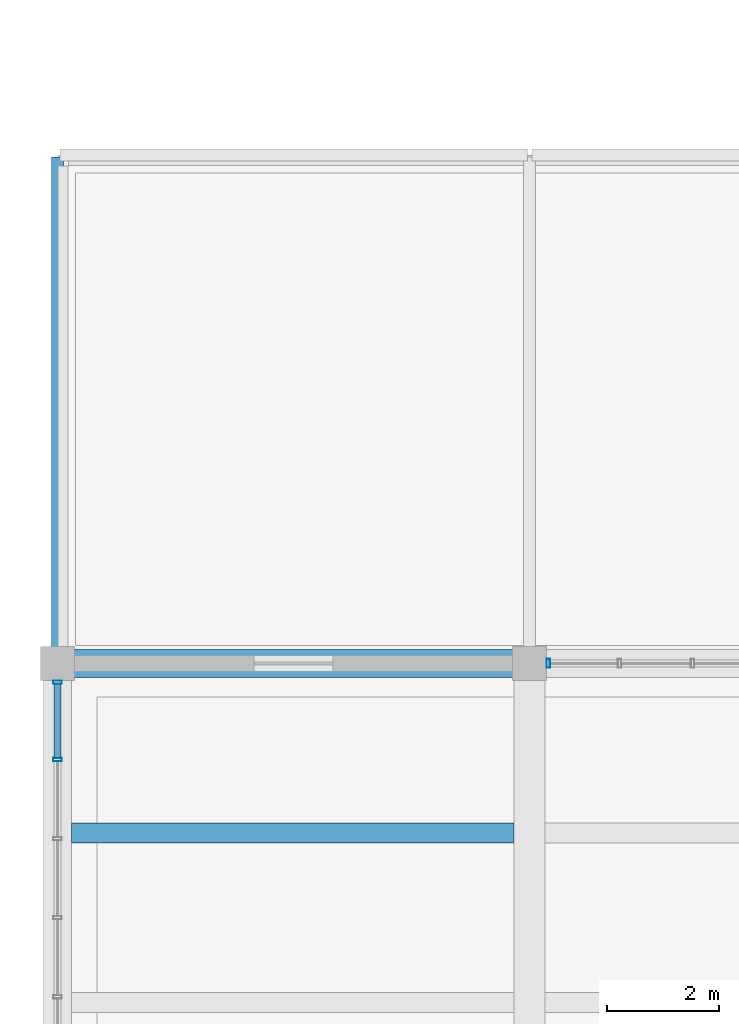
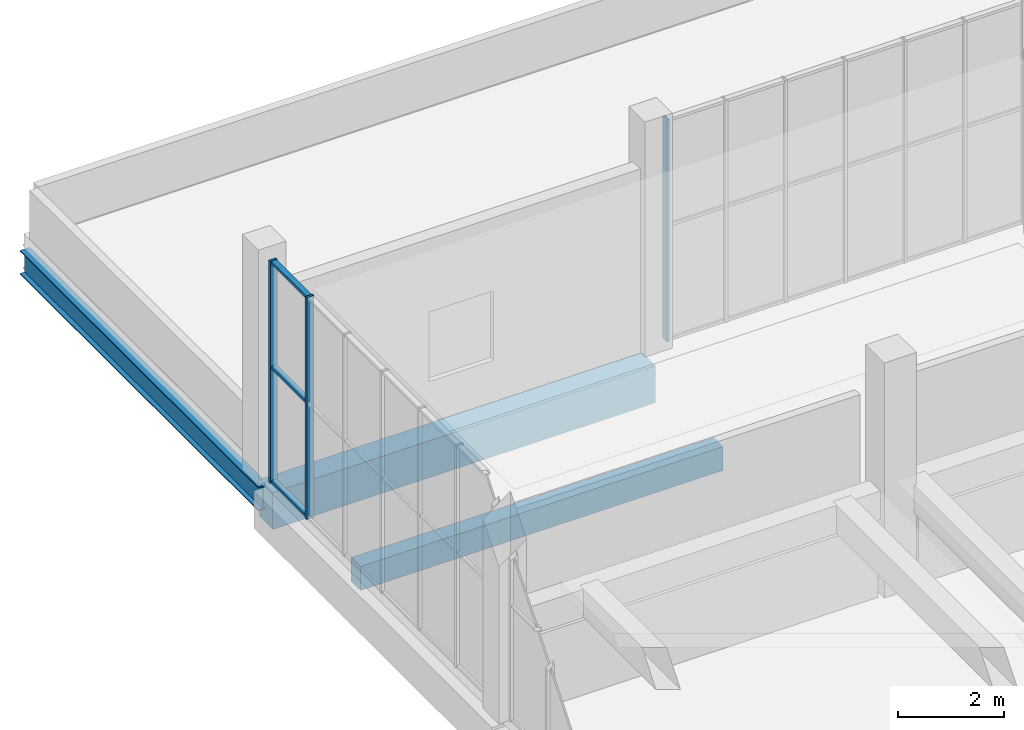
# One storey, part 48 of 132: 6 members, 3 beams, 2 elements without a shape of their own.
"""IFC4 building model written with IfcOpenShell, lengths in metres."""

from ifc_helpers import new_model, si_unit, direction, frame, origin, origin_2d, place, context, subcontext, project, spatial, rectangle, hollow_rectangle, i_section, extrude, material, material_profile, profile_set, type_object, element, aggregate, save


model = new_model("IFC4")

# Units and contexts
model_context = context("Model", 3, precision=1e-05, world=origin(), true_north=direction((0.0, 1.0)))
body_context = subcontext(model_context, "Body", "Model", "MODEL_VIEW")
ifc_project = project(units=[si_unit("LENGTHUNIT", "METRE"), si_unit("AREAUNIT", "SQUARE_METRE"), si_unit("VOLUMEUNIT", "CUBIC_METRE"), si_unit("PLANEANGLEUNIT", "RADIAN"), si_unit("MASSUNIT", "GRAM", prefix="KILO")], contexts=[model_context])

# Site, building, storey
site_placement = place(None, origin())
site = spatial("IfcSite", under=ifc_project, at=site_placement, CompositionType="ELEMENT")
building_placement = place(site_placement, origin())
building = spatial("IfcBuilding", under=site, at=building_placement, Name="Khurvash Pelagic Aquarium", CompositionType="ELEMENT")
storey_placement = place(building_placement, frame((0.0, 0.0, 5.39990234375)))
storey = spatial("IfcBuildingStorey", under=building, at=storey_placement, Name="L01", CompositionType="ELEMENT", Elevation=5.39990234375)

# Beam
ifc_material_1 = material(Name="Steel ASTM A992 Grade 50", Category="steel")
ifc_material_profile_1 = material_profile(ifc_material_1, i_section(OverallWidth=0.214111328125, OverallDepth=0.549072265625, WebThickness=0.0146484375, FlangeThickness=0.023681640625, at=origin_2d()), Name="W21X93")
ifc_profile_set_1 = profile_set([ifc_material_profile_1], Name="Steel ASTM A992 Grade 50")
beam_type_1 = type_object("IfcBeamType", Name="BM-11", PredefinedType="BEAM", material=ifc_profile_set_1)
beam_1_placement = place(storey_placement, frame((0.0, 93.139892578125, -0.594482421875), z_axis=(0.0, 1.0, 0.0), x_axis=(-1.0, 0.0, 0.0)))
element("IfcBeam", 1, at=beam_1_placement, inside=storey, type_object=beam_type_1, Name="L01 Roof Girder BM-11 01205", PredefinedType="BEAM", context=body_context, shape_type="SweptSolid", body=[
    extrude(i_section(OverallWidth=0.214111328125, OverallDepth=0.549072265625, WebThickness=0.0146484375, FlangeThickness=0.023681640625, at=origin_2d()), origin(), (0.0, 0.0, 1.0), 8.97021484375),
])

# Curtain wall, member
ifc_material_2 = material(Name="Anodised aluminium and low-E laminated glass", Category="aluminium")
curtain_wall_type_1 = type_object("IfcCurtainWallType", Name="CW-05", PredefinedType="USERDEFINED", material=ifc_material_2)
curtain_wall_1_placement = place(storey_placement, origin())
curtain_wall_1 = element("IfcCurtainWall", 2, at=curtain_wall_1_placement, inside=storey, type_object=curtain_wall_type_1, Name="L01 Facade Unitised Curtain Wall CW-05 0123", ObjectType="UNITISED CURTAIN WALL", PredefinedType="USERDEFINED")
ifc_material_3 = material(Name="Extruded aluminium AW-6063-T6", Category="aluminium")
ifc_material_profile_2 = material_profile(ifc_material_3, hollow_rectangle(XDim=0.06005859375, YDim=0.159912109375, WallThickness=0.00390625, at=origin_2d()), Name="CWM60X160X4")
ifc_profile_set_2 = profile_set([ifc_material_profile_2], Name="Extruded aluminium AW-6063-T6")
member_type_1 = type_object("IfcMemberType", Name="CM-02", PredefinedType="MULLION", material=ifc_profile_set_2)
member_1_placement = place(storey_placement, frame((8.735107421875, 93.10009765625, 0.0), z_axis=(0.0, 0.0, 1.0), x_axis=(-1.0, 0.0, 0.0)))
member_1 = element("IfcMember", 3, at=member_1_placement, type_object=member_type_1, Name="CW-05 mullion 7", PredefinedType="MULLION", context=body_context, shape_type="SweptSolid", body=[
    extrude(hollow_rectangle(XDim=0.06005859375, YDim=0.159912109375, WallThickness=0.00390625, at=origin_2d()), origin(), (0.0, 0.0, 1.0), 5.10009765625),
])
aggregate(curtain_wall_1, [member_1])

# Curtain wall, members
curtain_wall_type_2 = type_object("IfcCurtainWallType", Name="CW-06", PredefinedType="USERDEFINED", material=ifc_material_2)
curtain_wall_2_placement = place(storey_placement, origin())
curtain_wall_2 = element("IfcCurtainWall", 4, at=curtain_wall_2_placement, inside=storey, type_object=curtain_wall_type_2, Name="L01 Facade Unitised Curtain Wall CW-06 0124", ObjectType="UNITISED CURTAIN WALL", PredefinedType="USERDEFINED")
member_2_placement = place(storey_placement, frame((0.0, 92.764892578125, 0.0), z_axis=(0.0, 0.0, 1.0), x_axis=(0.0, -1.0, 0.0)))
member_2 = element("IfcMember", 5, at=member_2_placement, type_object=member_type_1, Name="CW-06 mullion 1", PredefinedType="MULLION", context=body_context, shape_type="SweptSolid", body=[
    extrude(hollow_rectangle(XDim=0.06005859375, YDim=0.159912109375, WallThickness=0.00390625, at=origin_2d()), origin(), (0.0, 0.0, 1.0), 5.10009765625),
])
member_3_placement = place(storey_placement, frame((0.0, 91.388427734375, 0.0), z_axis=(0.0, 0.0, 1.0), x_axis=(0.0, -1.0, 0.0)))
member_3 = element("IfcMember", 6, at=member_3_placement, type_object=member_type_1, Name="CW-06 mullion 2", PredefinedType="MULLION", context=body_context, shape_type="SweptSolid", body=[
    extrude(hollow_rectangle(XDim=0.06005859375, YDim=0.159912109375, WallThickness=0.00390625, at=origin_2d()), origin(), (0.0, 0.0, 1.0), 5.10009765625),
])
ifc_material_profile_3 = material_profile(ifc_material_3, hollow_rectangle(XDim=0.1201171875, YDim=0.06005859375, WallThickness=0.00390625, at=origin_2d()), Name="CWT120X60X4")
ifc_profile_set_3 = profile_set([ifc_material_profile_3], Name="Extruded aluminium AW-6063-T6")
member_type_2 = type_object("IfcMemberType", Name="CT-02", PredefinedType="USERDEFINED", material=ifc_profile_set_3)
member_4_placement = place(storey_placement, frame((0.0, 92.735107421875, 0.030029296875), z_axis=(0.0, -1.0, 0.0), x_axis=(1.0, 0.0, 0.0)))
member_4 = element("IfcMember", 7, at=member_4_placement, type_object=member_type_2, Name="CW-06 transom 1.1", ObjectType="TRANSOM", PredefinedType="USERDEFINED", context=body_context, shape_type="SweptSolid", body=[
    extrude(hollow_rectangle(XDim=0.1201171875, YDim=0.06005859375, WallThickness=0.00390625, at=origin_2d()), origin(), (0.0, 0.0, 1.0), 1.31689453125),
])
member_5_placement = place(storey_placement, frame((0.0, 92.735107421875, 2.652099609375), z_axis=(0.0, -1.0, 0.0), x_axis=(1.0, 0.0, 0.0)))
member_5 = element("IfcMember", 8, at=member_5_placement, type_object=member_type_2, Name="CW-06 transom 1.2", ObjectType="TRANSOM", PredefinedType="USERDEFINED", context=body_context, shape_type="SweptSolid", body=[
    extrude(hollow_rectangle(XDim=0.1201171875, YDim=0.06005859375, WallThickness=0.00390625, at=origin_2d()), origin(), (0.0, 0.0, 1.0), 1.31689453125),
])
member_6_placement = place(storey_placement, frame((0.0, 92.735107421875, 5.070068359375), z_axis=(0.0, -1.0, 0.0), x_axis=(1.0, 0.0, 0.0)))
member_6 = element("IfcMember", 9, at=member_6_placement, type_object=member_type_2, Name="CW-06 transom 1.3", ObjectType="TRANSOM", PredefinedType="USERDEFINED", context=body_context, shape_type="SweptSolid", body=[
    extrude(hollow_rectangle(XDim=0.1201171875, YDim=0.06005859375, WallThickness=0.00390625, at=origin_2d()), origin(), (0.0, 0.0, 1.0), 1.31689453125),
])
aggregate(curtain_wall_2, [member_2, member_3, member_4, member_5, member_6])

# Beams
ifc_material_4 = material(Name="Concrete C35/45", Category="concrete")
ifc_material_profile_4 = material_profile(ifc_material_4, rectangle(XDim=0.35009765625, YDim=0.550048828125, at=origin_2d()), Name="RC350X550")
ifc_profile_set_4 = profile_set([ifc_material_profile_4], Name="Concrete C35/45")
beam_type_2 = type_object("IfcBeamType", Name="JS-01", PredefinedType="JOIST", material=ifc_profile_set_4)
beam_2_placement = place(storey_placement, frame((0.25, 90.0830078125, -0.5849609375), z_axis=(1.0, 0.0, 0.0), x_axis=(0.0, 1.0, 0.0)))
element("IfcBeam", 10, at=beam_2_placement, inside=storey, type_object=beam_type_2, Name="L01 Floor Joist JS-01 00443", PredefinedType="JOIST", context=body_context, shape_type="SweptSolid", body=[
    extrude(rectangle(XDim=0.35009765625, YDim=0.550048828125, at=origin_2d()), origin(), (0.0, 0.0, 1.0), 7.875),
])
ifc_material_5 = material(Name="Concrete C40/50", Category="concrete")
ifc_material_profile_5 = material_profile(ifc_material_5, rectangle(XDim=0.5, YDim=0.85009765625, at=origin_2d()), Name="RC500X850")
ifc_profile_set_5 = profile_set([ifc_material_profile_5], Name="Concrete C40/50")
beam_type_3 = type_object("IfcBeamType", Name="SEB-03", PredefinedType="SPANDREL", material=ifc_profile_set_5)
beam_3_placement = place(storey_placement, frame((0.0400390625, 93.10009765625, -0.744873046875), z_axis=(1.0, 0.0, 0.0), x_axis=(0.0, 1.0, 0.0)))
element("IfcBeam", 11, at=beam_3_placement, inside=storey, type_object=beam_type_3, Name="L01 Primary Girder SEB-03 00323", PredefinedType="SPANDREL", context=body_context, shape_type="SweptSolid", body=[
    extrude(rectangle(XDim=0.5, YDim=0.85009765625, at=origin_2d()), origin(), (0.0, 0.0, 1.0), 8.320068359375),
])

save(model, "model.ifc")
